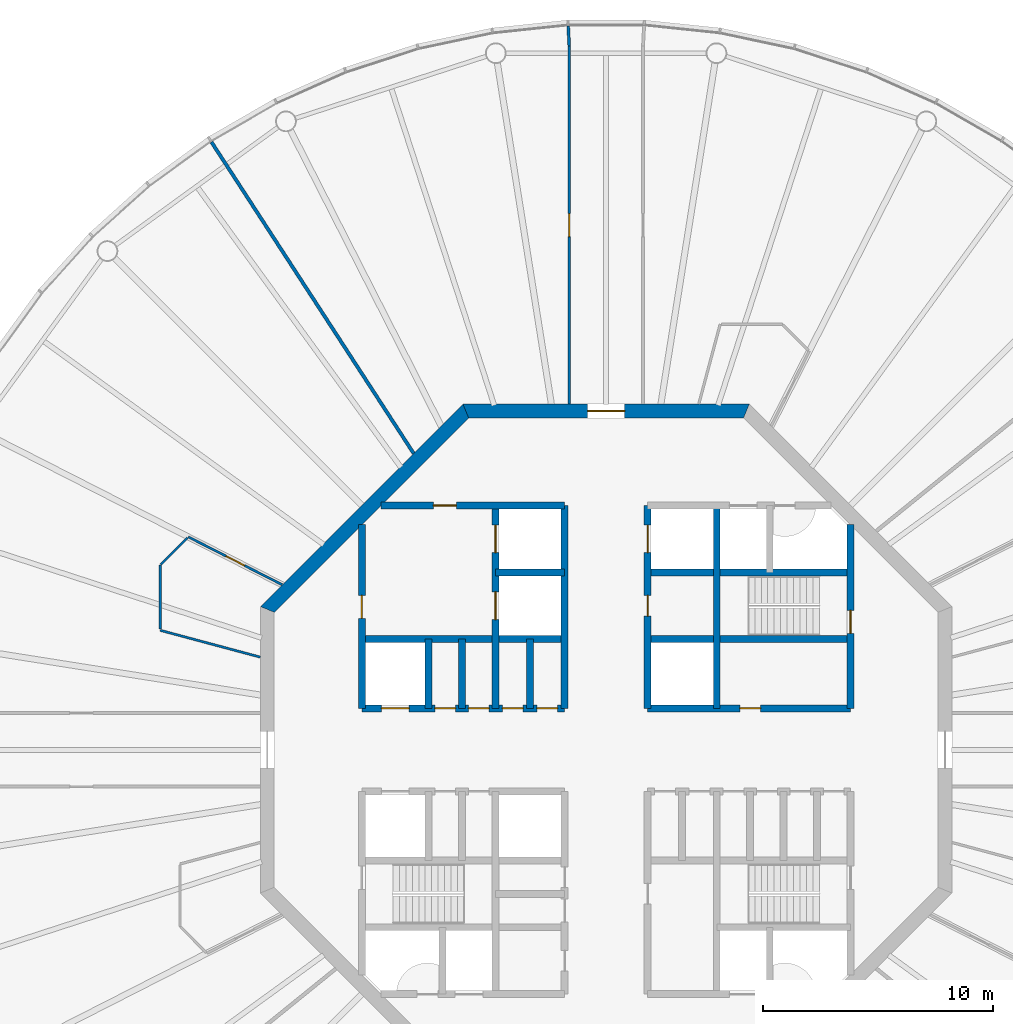
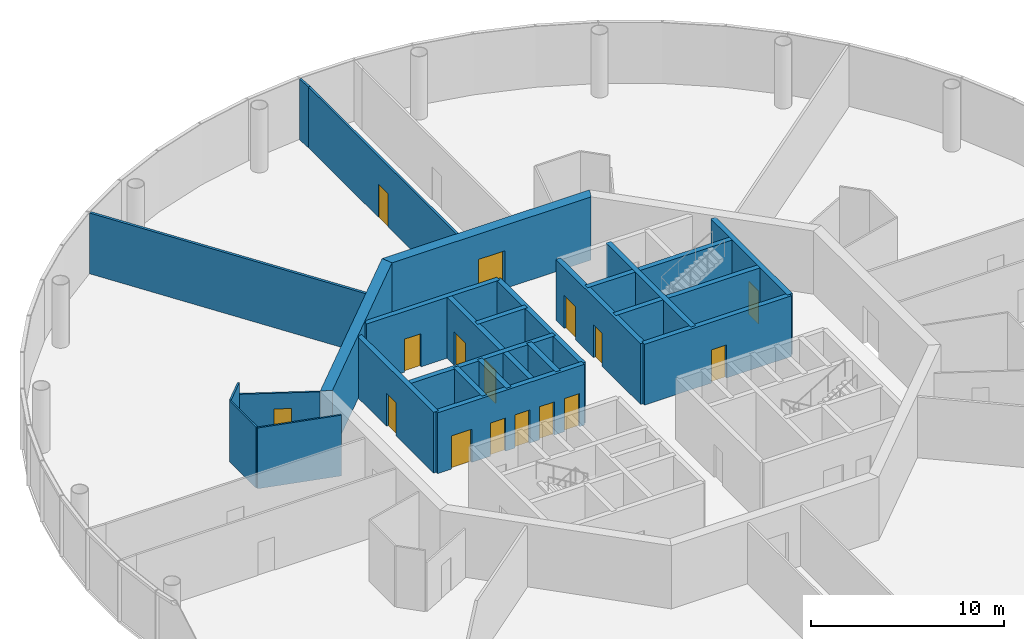
# One storey, part 5 of 13: 25 walls, 16 doors, 16 openings.
"""IFC4 building model written with IfcOpenShell, lengths in metres."""

from ifc_helpers import new_model, si_unit, direction, frame, frame_2d, origin, place, context, subcontext, project, spatial, polyline, rectangle, outline, extrude, material, layer, layer_set, type_object, element, fill, save


model = new_model("IFC4")

# Units and contexts
model_context = context("Model", 3, precision=1e-05, world=origin(), true_north=direction((0.0, 1.0)))
body_context = subcontext(model_context, "Body", "Model", "MODEL_VIEW")
ifc_project = project(units=[si_unit("LENGTHUNIT", "METRE"), si_unit("AREAUNIT", "SQUARE_METRE"), si_unit("VOLUMEUNIT", "CUBIC_METRE"), si_unit("PLANEANGLEUNIT", "RADIAN"), si_unit("MASSUNIT", "GRAM", prefix="KILO")], contexts=[model_context])

# Site, building, storey
site_placement = place(None, origin())
site = spatial("IfcSite", under=ifc_project, at=site_placement, CompositionType="ELEMENT")
building_placement = place(site_placement, origin())
building = spatial("IfcBuilding", under=site, at=building_placement, Name="Entoto Ring Tower", CompositionType="ELEMENT")
storey_placement = place(building_placement, frame((0.0, 0.0, 344.0)))
storey = spatial("IfcBuildingStorey", under=building, at=storey_placement, Name="L79", CompositionType="ELEMENT", Elevation=344.0)

# Wall, opening, door
ifc_material_1 = material(Name="Concrete C40/50", Category="concrete")
ifc_layer_1 = layer(ifc_material_1, 0.300048828125)
ifc_layer_set_1 = layer_set([ifc_layer_1], Name="Concrete C40/50")
wall_type_1 = type_object("IfcWallType", Name="Core enclosure wall 300 mm reinforced concrete", PredefinedType="SOLIDWALL", material=ifc_layer_set_1)
wall_1_placement = place(storey_placement, frame((100.60009765625, 81.800048828125, 0.0), z_axis=(0.0, 0.0, 1.0), x_axis=(0.0, 1.0, 0.0)))
wall_1 = element("IfcWall", 1, at=wall_1_placement, inside=storey, type_object=wall_type_1, Name="wall-L79-002", PredefinedType="SOLIDWALL", context=body_context, shape_type="SweptSolid", body=[
    extrude(rectangle(XDim=7.964599609375, YDim=0.300048828125, at=frame_2d((3.982421875, 0.0))), origin(), (0.0, 0.0, 1.0), 3.85009765625),
])
opening_1_placement = place(wall_1_placement, frame((3.25, 0.0, 0.0)))
opening_1 = element("IfcOpeningElement", 2, at=opening_1_placement, cuts=wall_1, Name="Opening K-29", PredefinedType="OPENING", context=body_context, shape_type="SweptSolid", body=[
    extrude(rectangle(XDim=1.0, YDim=2.10009765625, at=frame_2d((0.5, 1.050048828125))), frame((0.0, 0.16015625, 0.0), z_axis=(0.0, -1.0, 0.0), x_axis=(1.0, 0.0, 0.0)), (0.0, 0.0, 1.0), 0.320068359375),
])
ifc_material_2 = material(Name="Steel door leaf, fire rated", Category="steel")
ifc_layer_2 = layer(ifc_material_2, 0.050048828125)
ifc_layer_set_2 = layer_set([ifc_layer_2], Name="Steel door leaf, fire rated")
door_type_1 = type_object("IfcDoorType", Name="Fire door FD60 1000 x 2100 single leaf", OperationType="NOTDEFINED", PredefinedType="DOOR", material=ifc_layer_set_2)
door_1_placement = place(opening_1_placement, origin())
door_1 = element("IfcDoor", 3, at=door_1_placement, inside=storey, type_object=door_type_1, Name="Door K-29", OperationType="SINGLE_SWING_LEFT", OverallHeight=2.10009765625, OverallWidth=1.0, PredefinedType="DOOR", context=body_context, shape_type="SweptSolid", body=[
    extrude(rectangle(XDim=1.0, YDim=2.10009765625, at=frame_2d((0.5, 1.050048828125))), frame((0.0, 0.02490234375, 0.0), z_axis=(0.0, -1.0, 0.0), x_axis=(1.0, 0.0, 0.0)), (0.0, 0.0, 1.0), 0.050048828125),
])
fill(opening_1, door_1)

# Wall
wall_2_placement = place(storey_placement, frame((94.800048828125, 81.800048828125, 0.0), z_axis=(0.0, 0.0, 1.0), x_axis=(0.0, 1.0, 0.0)))
element("IfcWall", 4, at=wall_2_placement, inside=storey, type_object=wall_type_1, Name="wall-L79-009", PredefinedType="SOLIDWALL", context=body_context, shape_type="SweptSolid", body=[
    extrude(rectangle(XDim=8.800048828125, YDim=0.300048828125, at=frame_2d((4.39990234375, 0.0))), origin(), (0.0, 0.0, 1.0), 3.85009765625),
])

# Wall, openings, doors
wall_3_placement = place(storey_placement, frame((91.800048828125, 81.800048828125, 0.0), z_axis=(0.0, 0.0, 1.0), x_axis=(0.0, 1.0, 0.0)))
wall_3 = element("IfcWall", 5, at=wall_3_placement, inside=storey, type_object=wall_type_1, Name="wall-L79-012", PredefinedType="SOLIDWALL", context=body_context, shape_type="SweptSolid", body=[
    extrude(rectangle(XDim=8.800048828125, YDim=0.300048828125, at=frame_2d((4.39990234375, 0.0))), origin(), (0.0, 0.0, 1.0), 3.85009765625),
])
opening_2_placement = place(wall_3_placement, frame((6.75, 0.0, 0.0)))
opening_2 = element("IfcOpeningElement", 6, at=opening_2_placement, cuts=wall_3, Name="Opening LD", PredefinedType="OPENING", context=body_context, shape_type="SweptSolid", body=[
    extrude(rectangle(XDim=1.199951171875, YDim=2.10009765625, at=frame_2d((0.60009765625, 1.050048828125))), frame((0.0, 0.16015625, 0.0), z_axis=(0.0, -1.0, 0.0), x_axis=(1.0, 0.0, 0.0)), (0.0, 0.0, 1.0), 0.320068359375),
])
opening_3_placement = place(wall_3_placement, frame((4.0, 0.0, 0.0)))
opening_3 = element("IfcOpeningElement", 7, at=opening_3_placement, cuts=wall_3, Name="Opening K-63", PredefinedType="OPENING", context=body_context, shape_type="SweptSolid", body=[
    extrude(rectangle(XDim=0.89990234375, YDim=2.10009765625, at=frame_2d((0.449951171875, 1.050048828125))), frame((0.0, 0.16015625, 0.0), z_axis=(0.0, -1.0, 0.0), x_axis=(1.0, 0.0, 0.0)), (0.0, 0.0, 1.0), 0.320068359375),
])
ifc_material_3 = material(Name="Steel door leaf, fire rated", Category="steel")
ifc_layer_3 = layer(ifc_material_3, 0.050048828125)
ifc_layer_set_3 = layer_set([ifc_layer_3], Name="Steel door leaf, fire rated")
door_type_2 = type_object("IfcDoorType", Name="Core door 900 x 2100 single leaf", OperationType="NOTDEFINED", PredefinedType="DOOR", material=ifc_layer_set_3)
door_2_placement = place(opening_3_placement, frame((0.89990234375, 0.0, 0.0), z_axis=(0.0, 0.0, 1.0), x_axis=(-1.0, 0.0, 0.0)))
door_2 = element("IfcDoor", 8, at=door_2_placement, inside=storey, type_object=door_type_2, Name="Door K-63", OperationType="SINGLE_SWING_RIGHT", OverallHeight=2.10009765625, OverallWidth=0.89990234375, PredefinedType="DOOR", context=body_context, shape_type="SweptSolid", body=[
    extrude(rectangle(XDim=0.89990234375, YDim=2.10009765625, at=frame_2d((0.449951171875, 1.050048828125))), frame((0.0, 0.02490234375, 0.0), z_axis=(0.0, -1.0, 0.0), x_axis=(1.0, 0.0, 0.0)), (0.0, 0.0, 1.0), 0.050048828125),
])
fill(opening_3, door_2)
ifc_material_4 = material(Name="Steel and glass door leaf", Category="steel")
ifc_layer_4 = layer(ifc_material_4, 0.050048828125)
ifc_layer_set_4 = layer_set([ifc_layer_4], Name="Steel and glass door leaf")
door_type_3 = type_object("IfcDoorType", Name="Landing door 1200 x 2100 sliding", OperationType="DOUBLE_DOOR_SLIDING", PredefinedType="DOOR", material=ifc_layer_set_4)
door_3_placement = place(opening_2_placement, origin())
door_3 = element("IfcDoor", 9, at=door_3_placement, inside=storey, type_object=door_type_3, Name="Landing door SH3", OperationType="SLIDING_TO_RIGHT", OverallHeight=2.10009765625, OverallWidth=1.199951171875, PredefinedType="DOOR", context=body_context, shape_type="SweptSolid", body=[
    extrude(rectangle(XDim=1.199951171875, YDim=2.10009765625, at=frame_2d((0.60009765625, 1.050048828125))), frame((0.0, 0.02490234375, 0.0), z_axis=(0.0, -1.0, 0.0), x_axis=(1.0, 0.0, 0.0)), (0.0, 0.0, 1.0), 0.050048828125),
])
fill(opening_2, door_3)

# Walls
wall_4_placement = place(storey_placement, frame((88.199951171875, 81.800048828125, 0.0), z_axis=(0.0, 0.0, 1.0), x_axis=(0.0, 1.0, 0.0)))
element("IfcWall", 10, at=wall_4_placement, inside=storey, type_object=wall_type_1, Name="wall-L79-014", PredefinedType="SOLIDWALL", context=body_context, shape_type="SweptSolid", body=[
    extrude(rectangle(XDim=8.800048828125, YDim=0.300048828125, at=frame_2d((4.39990234375, 0.0))), origin(), (0.0, 0.0, 1.0), 3.85009765625),
])
wall_5_placement = place(storey_placement, frame((86.699951171875, 81.800048828125, 0.0), z_axis=(0.0, 0.0, 1.0), x_axis=(0.0, 1.0, 0.0)))
element("IfcWall", 11, at=wall_5_placement, inside=storey, type_object=wall_type_1, Name="wall-L79-015", PredefinedType="SOLIDWALL", context=body_context, shape_type="SweptSolid", body=[
    extrude(rectangle(XDim=3.0, YDim=0.300048828125, at=frame_2d((1.5, 0.0))), origin(), (0.0, 0.0, 1.0), 3.85009765625),
])

# Wall, openings, doors
wall_6_placement = place(storey_placement, frame((85.199951171875, 81.800048828125, 0.0), z_axis=(0.0, 0.0, 1.0), x_axis=(0.0, 1.0, 0.0)))
wall_6 = element("IfcWall", 12, at=wall_6_placement, inside=storey, type_object=wall_type_1, Name="wall-L79-017", PredefinedType="SOLIDWALL", context=body_context, shape_type="SweptSolid", body=[
    extrude(rectangle(XDim=8.800048828125, YDim=0.300048828125, at=frame_2d((4.39990234375, 0.0))), origin(), (0.0, 0.0, 1.0), 3.85009765625),
])
opening_4_placement = place(wall_6_placement, frame((3.85009765625, 0.0, 0.0)))
opening_4 = element("IfcOpeningElement", 13, at=opening_4_placement, cuts=wall_6, Name="Opening LD", PredefinedType="OPENING", context=body_context, shape_type="SweptSolid", body=[
    extrude(rectangle(XDim=1.199951171875, YDim=2.10009765625, at=frame_2d((0.60009765625, 1.050048828125))), frame((0.0, 0.16015625, 0.0), z_axis=(0.0, -1.0, 0.0), x_axis=(1.0, 0.0, 0.0)), (0.0, 0.0, 1.0), 0.320068359375),
])
opening_5_placement = place(wall_6_placement, frame((6.75, 0.0, 0.0)))
opening_5 = element("IfcOpeningElement", 14, at=opening_5_placement, cuts=wall_6, Name="Opening LD", PredefinedType="OPENING", context=body_context, shape_type="SweptSolid", body=[
    extrude(rectangle(XDim=1.199951171875, YDim=2.10009765625, at=frame_2d((0.60009765625, 1.050048828125))), frame((0.0, 0.16015625, 0.0), z_axis=(0.0, -1.0, 0.0), x_axis=(1.0, 0.0, 0.0)), (0.0, 0.0, 1.0), 0.320068359375),
])
door_4_placement = place(opening_4_placement, origin())
door_4 = element("IfcDoor", 15, at=door_4_placement, inside=storey, type_object=door_type_3, Name="Landing door FF1", OperationType="SLIDING_TO_RIGHT", OverallHeight=2.10009765625, OverallWidth=1.199951171875, PredefinedType="DOOR", context=body_context, shape_type="SweptSolid", body=[
    extrude(rectangle(XDim=1.199951171875, YDim=2.10009765625, at=frame_2d((0.60009765625, 1.050048828125))), frame((0.0, 0.02490234375, 0.0), z_axis=(0.0, -1.0, 0.0), x_axis=(1.0, 0.0, 0.0)), (0.0, 0.0, 1.0), 0.050048828125),
])
fill(opening_4, door_4)
door_5_placement = place(opening_5_placement, origin())
door_5 = element("IfcDoor", 16, at=door_5_placement, inside=storey, type_object=door_type_3, Name="Landing door FF2", OperationType="SLIDING_TO_RIGHT", OverallHeight=2.10009765625, OverallWidth=1.199951171875, PredefinedType="DOOR", context=body_context, shape_type="SweptSolid", body=[
    extrude(rectangle(XDim=1.199951171875, YDim=2.10009765625, at=frame_2d((0.60009765625, 1.050048828125))), frame((0.0, 0.02490234375, 0.0), z_axis=(0.0, -1.0, 0.0), x_axis=(1.0, 0.0, 0.0)), (0.0, 0.0, 1.0), 0.050048828125),
])
fill(opening_5, door_5)

# Walls
for number, where, z_axis, x_axis, name in (
    (17, (83.75, 81.800048828125, 0.0), (0.0, 0.0, 1.0), (0.0, 1.0, 0.0), "wall-L79-019"),
    (18, (82.300048828125, 81.800048828125, 0.0), (0.0, 0.0, 1.0), (0.0, 1.0, 0.0), "wall-L79-022"),
):
    element("IfcWall", number, at=place(storey_placement, frame(where, z_axis=z_axis, x_axis=x_axis)), inside=storey, type_object=wall_type_1, Name=name, PredefinedType="SOLIDWALL", context=body_context, shape_type="SweptSolid", body=[
        extrude(rectangle(XDim=3.0, YDim=0.300048828125, at=frame_2d((1.5, 0.0))), origin(), (0.0, 0.0, 1.0), 3.85009765625),
    ])

# Wall, opening, door
wall_7_placement = place(storey_placement, frame((79.39990234375, 81.800048828125, 0.0), z_axis=(0.0, 0.0, 1.0), x_axis=(0.0, 1.0, 0.0)))
wall_7 = element("IfcWall", 19, at=wall_7_placement, inside=storey, type_object=wall_type_1, Name="wall-L79-024", PredefinedType="SOLIDWALL", context=body_context, shape_type="SweptSolid", body=[
    extrude(rectangle(XDim=7.964599609375, YDim=0.300048828125, at=frame_2d((3.982421875, 0.0))), origin(), (0.0, 0.0, 1.0), 3.85009765625),
])
opening_6_placement = place(wall_7_placement, frame((3.89990234375, 0.0, 0.0)))
opening_6 = element("IfcOpeningElement", 20, at=opening_6_placement, cuts=wall_7, Name="Opening K-35", PredefinedType="OPENING", context=body_context, shape_type="SweptSolid", body=[
    extrude(rectangle(XDim=1.0, YDim=2.10009765625, at=frame_2d((0.5, 1.050048828125))), frame((0.0, 0.16015625, 0.0), z_axis=(0.0, -1.0, 0.0), x_axis=(1.0, 0.0, 0.0)), (0.0, 0.0, 1.0), 0.320068359375),
])
door_6_placement = place(opening_6_placement, frame((1.0, 0.0, 0.0), z_axis=(0.0, 0.0, 1.0), x_axis=(-1.0, 0.0, 0.0)))
door_6 = element("IfcDoor", 21, at=door_6_placement, inside=storey, type_object=door_type_1, Name="Door K-35", OperationType="SINGLE_SWING_RIGHT", OverallHeight=2.10009765625, OverallWidth=1.0, PredefinedType="DOOR", context=body_context, shape_type="SweptSolid", body=[
    extrude(rectangle(XDim=1.0, YDim=2.10009765625, at=frame_2d((0.5, 1.050048828125))), frame((0.0, 0.02490234375, 0.0), z_axis=(0.0, -1.0, 0.0), x_axis=(1.0, 0.0, 0.0)), (0.0, 0.0, 1.0), 0.050048828125),
])
fill(opening_6, door_6)

# Wall, openings, doors
wall_8_placement = place(storey_placement, frame((79.39990234375, 81.800048828125, 0.0), z_axis=(0.0, 0.0, 1.0), x_axis=(1.0, 0.0, 0.0)))
wall_8 = element("IfcWall", 22, at=wall_8_placement, inside=storey, type_object=wall_type_1, Name="wall-L79-034", PredefinedType="SOLIDWALL", context=body_context, shape_type="SweptSolid", body=[
    extrude(rectangle(XDim=8.800048828125, YDim=0.300048828125, at=frame_2d((4.39990234375, 0.0))), origin(), (0.0, 0.0, 1.0), 3.85009765625),
])
opening_7_placement = place(wall_8_placement, frame((0.85009765625, 0.0, 0.0)))
opening_7 = element("IfcOpeningElement", 23, at=opening_7_placement, cuts=wall_8, Name="Opening LD", PredefinedType="OPENING", context=body_context, shape_type="SweptSolid", body=[
    extrude(rectangle(XDim=1.199951171875, YDim=2.10009765625, at=frame_2d((0.60009765625, 1.050048828125))), frame((0.0, 0.16015625, 0.0), z_axis=(0.0, -1.0, 0.0), x_axis=(1.0, 0.0, 0.0)), (0.0, 0.0, 1.0), 0.320068359375),
])
opening_8_placement = place(wall_8_placement, frame((3.175048828125, 0.0, 0.0)))
opening_8 = element("IfcOpeningElement", 24, at=opening_8_placement, cuts=wall_8, Name="Opening K-12", PredefinedType="OPENING", context=body_context, shape_type="SweptSolid", body=[
    extrude(rectangle(XDim=0.89990234375, YDim=2.10009765625, at=frame_2d((0.449951171875, 1.050048828125))), frame((0.0, 0.16015625, 0.0), z_axis=(0.0, -1.0, 0.0), x_axis=(1.0, 0.0, 0.0)), (0.0, 0.0, 1.0), 0.320068359375),
])
opening_9_placement = place(wall_8_placement, frame((4.625, 0.0, 0.0)))
opening_9 = element("IfcOpeningElement", 25, at=opening_9_placement, cuts=wall_8, Name="Opening K-46", PredefinedType="OPENING", context=body_context, shape_type="SweptSolid", body=[
    extrude(rectangle(XDim=0.89990234375, YDim=2.10009765625, at=frame_2d((0.449951171875, 1.050048828125))), frame((0.0, 0.16015625, 0.0), z_axis=(0.0, -1.0, 0.0), x_axis=(1.0, 0.0, 0.0)), (0.0, 0.0, 1.0), 0.320068359375),
])
opening_10_placement = place(wall_8_placement, frame((6.10009765625, 0.0, 0.0)))
opening_10 = element("IfcOpeningElement", 26, at=opening_10_placement, cuts=wall_8, Name="Opening K-25", PredefinedType="OPENING", context=body_context, shape_type="SweptSolid", body=[
    extrude(rectangle(XDim=0.89990234375, YDim=2.10009765625, at=frame_2d((0.449951171875, 1.050048828125))), frame((0.0, 0.16015625, 0.0), z_axis=(0.0, -1.0, 0.0), x_axis=(1.0, 0.0, 0.0)), (0.0, 0.0, 1.0), 0.320068359375),
])
opening_11_placement = place(wall_8_placement, frame((7.60009765625, 0.0, 0.0)))
opening_11 = element("IfcOpeningElement", 27, at=opening_11_placement, cuts=wall_8, Name="Opening K-77", PredefinedType="OPENING", context=body_context, shape_type="SweptSolid", body=[
    extrude(rectangle(XDim=0.89990234375, YDim=2.10009765625, at=frame_2d((0.449951171875, 1.050048828125))), frame((0.0, 0.16015625, 0.0), z_axis=(0.0, -1.0, 0.0), x_axis=(1.0, 0.0, 0.0)), (0.0, 0.0, 1.0), 0.320068359375),
])
door_7_placement = place(opening_8_placement, origin())
door_7 = element("IfcDoor", 28, at=door_7_placement, inside=storey, type_object=door_type_2, Name="Door K-12", OperationType="SINGLE_SWING_RIGHT", OverallHeight=2.10009765625, OverallWidth=0.89990234375, PredefinedType="DOOR", context=body_context, shape_type="SweptSolid", body=[
    extrude(rectangle(XDim=0.89990234375, YDim=2.10009765625, at=frame_2d((0.449951171875, 1.050048828125))), frame((0.0, 0.02490234375, 0.0), z_axis=(0.0, -1.0, 0.0), x_axis=(1.0, 0.0, 0.0)), (0.0, 0.0, 1.0), 0.050048828125),
])
fill(opening_8, door_7)
door_8_placement = place(opening_9_placement, origin())
door_8 = element("IfcDoor", 29, at=door_8_placement, inside=storey, type_object=door_type_2, Name="Door K-46", OperationType="SINGLE_SWING_RIGHT", OverallHeight=2.10009765625, OverallWidth=0.89990234375, PredefinedType="DOOR", context=body_context, shape_type="SweptSolid", body=[
    extrude(rectangle(XDim=0.89990234375, YDim=2.10009765625, at=frame_2d((0.449951171875, 1.050048828125))), frame((0.0, 0.02490234375, 0.0), z_axis=(0.0, -1.0, 0.0), x_axis=(1.0, 0.0, 0.0)), (0.0, 0.0, 1.0), 0.050048828125),
])
fill(opening_9, door_8)
door_9_placement = place(opening_10_placement, origin())
door_9 = element("IfcDoor", 30, at=door_9_placement, inside=storey, type_object=door_type_2, Name="Door K-25", OperationType="SINGLE_SWING_LEFT", OverallHeight=2.10009765625, OverallWidth=0.89990234375, PredefinedType="DOOR", context=body_context, shape_type="SweptSolid", body=[
    extrude(rectangle(XDim=0.89990234375, YDim=2.10009765625, at=frame_2d((0.449951171875, 1.050048828125))), frame((0.0, 0.02490234375, 0.0), z_axis=(0.0, -1.0, 0.0), x_axis=(1.0, 0.0, 0.0)), (0.0, 0.0, 1.0), 0.050048828125),
])
fill(opening_10, door_9)
door_10_placement = place(opening_11_placement, origin())
door_10 = element("IfcDoor", 31, at=door_10_placement, inside=storey, type_object=door_type_2, Name="Door K-77", OperationType="SINGLE_SWING_LEFT", OverallHeight=2.10009765625, OverallWidth=0.89990234375, PredefinedType="DOOR", context=body_context, shape_type="SweptSolid", body=[
    extrude(rectangle(XDim=0.89990234375, YDim=2.10009765625, at=frame_2d((0.449951171875, 1.050048828125))), frame((0.0, 0.02490234375, 0.0), z_axis=(0.0, -1.0, 0.0), x_axis=(1.0, 0.0, 0.0)), (0.0, 0.0, 1.0), 0.050048828125),
])
fill(opening_11, door_10)
door_11_placement = place(opening_7_placement, origin())
door_11 = element("IfcDoor", 32, at=door_11_placement, inside=storey, type_object=door_type_3, Name="Landing door SH1", OperationType="SLIDING_TO_RIGHT", OverallHeight=2.10009765625, OverallWidth=1.199951171875, PredefinedType="DOOR", context=body_context, shape_type="SweptSolid", body=[
    extrude(rectangle(XDim=1.199951171875, YDim=2.10009765625, at=frame_2d((0.60009765625, 1.050048828125))), frame((0.0, 0.02490234375, 0.0), z_axis=(0.0, -1.0, 0.0), x_axis=(1.0, 0.0, 0.0)), (0.0, 0.0, 1.0), 0.050048828125),
])
fill(opening_7, door_11)

# Wall, opening, door
wall_9_placement = place(storey_placement, frame((91.800048828125, 81.800048828125, 0.0), z_axis=(0.0, 0.0, 1.0), x_axis=(1.0, 0.0, 0.0)))
wall_9 = element("IfcWall", 33, at=wall_9_placement, inside=storey, type_object=wall_type_1, Name="wall-L79-035", PredefinedType="SOLIDWALL", context=body_context, shape_type="SweptSolid", body=[
    extrude(rectangle(XDim=8.800048828125, YDim=0.300048828125, at=frame_2d((4.39990234375, 0.0))), origin(), (0.0, 0.0, 1.0), 3.85009765625),
])
opening_12_placement = place(wall_9_placement, frame((4.0, 0.0, 0.0)))
opening_12 = element("IfcOpeningElement", 34, at=opening_12_placement, cuts=wall_9, Name="Opening K-11", PredefinedType="OPENING", context=body_context, shape_type="SweptSolid", body=[
    extrude(rectangle(XDim=0.89990234375, YDim=2.10009765625, at=frame_2d((0.449951171875, 1.050048828125))), frame((0.0, 0.16015625, 0.0), z_axis=(0.0, -1.0, 0.0), x_axis=(1.0, 0.0, 0.0)), (0.0, 0.0, 1.0), 0.320068359375),
])
door_12_placement = place(opening_12_placement, origin())
door_12 = element("IfcDoor", 35, at=door_12_placement, inside=storey, type_object=door_type_2, Name="Door K-11", OperationType="SINGLE_SWING_LEFT", OverallHeight=2.10009765625, OverallWidth=0.89990234375, PredefinedType="DOOR", context=body_context, shape_type="SweptSolid", body=[
    extrude(rectangle(XDim=0.89990234375, YDim=2.10009765625, at=frame_2d((0.449951171875, 1.050048828125))), frame((0.0, 0.02490234375, 0.0), z_axis=(0.0, -1.0, 0.0), x_axis=(1.0, 0.0, 0.0)), (0.0, 0.0, 1.0), 0.050048828125),
])
fill(opening_12, door_12)

# Walls
for number, where, z_axis, x_axis, name in (
    (36, (79.39990234375, 84.800048828125, 0.0), (0.0, 0.0, 1.0), (1.0, 0.0, 0.0), "wall-L79-036"),
    (37, (91.800048828125, 84.800048828125, 0.0), (0.0, 0.0, 1.0), (1.0, 0.0, 0.0), "wall-L79-037"),
):
    element("IfcWall", number, at=place(storey_placement, frame(where, z_axis=z_axis, x_axis=x_axis)), inside=storey, type_object=wall_type_1, Name=name, PredefinedType="SOLIDWALL", context=body_context, shape_type="SweptSolid", body=[
        extrude(rectangle(XDim=8.800048828125, YDim=0.300048828125, at=frame_2d((4.39990234375, 0.0))), origin(), (0.0, 0.0, 1.0), 3.85009765625),
    ])
wall_10_placement = place(storey_placement, frame((85.199951171875, 87.699951171875, 0.0), z_axis=(0.0, 0.0, 1.0), x_axis=(1.0, 0.0, 0.0)))
element("IfcWall", 38, at=wall_10_placement, inside=storey, type_object=wall_type_1, Name="wall-L79-038", PredefinedType="SOLIDWALL", context=body_context, shape_type="SweptSolid", body=[
    extrude(rectangle(XDim=3.0, YDim=0.300048828125, at=frame_2d((1.5, 0.0))), origin(), (0.0, 0.0, 1.0), 3.85009765625),
])
wall_11_placement = place(storey_placement, frame((91.800048828125, 87.699951171875, 0.0), z_axis=(0.0, 0.0, 1.0), x_axis=(1.0, 0.0, 0.0)))
element("IfcWall", 39, at=wall_11_placement, inside=storey, type_object=wall_type_1, Name="wall-L79-039", PredefinedType="SOLIDWALL", context=body_context, shape_type="SweptSolid", body=[
    extrude(rectangle(XDim=8.800048828125, YDim=0.300048828125, at=frame_2d((4.39990234375, 0.0))), origin(), (0.0, 0.0, 1.0), 3.85009765625),
])

# Wall, opening, door
wall_12_placement = place(storey_placement, frame((80.2353515625, 90.60009765625, 0.0), z_axis=(0.0, 0.0, 1.0), x_axis=(1.0, 0.0, 0.0)))
wall_12 = element("IfcWall", 40, at=wall_12_placement, inside=storey, type_object=wall_type_1, Name="wall-L79-040", PredefinedType="SOLIDWALL", context=body_context, shape_type="SweptSolid", body=[
    extrude(rectangle(XDim=7.964599609375, YDim=0.300048828125, at=frame_2d((3.982421875, 0.0))), origin(), (0.0, 0.0, 1.0), 3.85009765625),
])
opening_13_placement = place(wall_12_placement, frame((2.2646484375, 0.0, 0.0)))
opening_13 = element("IfcOpeningElement", 41, at=opening_13_placement, cuts=wall_12, Name="Opening K-36", PredefinedType="OPENING", context=body_context, shape_type="SweptSolid", body=[
    extrude(rectangle(XDim=1.0, YDim=2.10009765625, at=frame_2d((0.5, 1.050048828125))), frame((0.0, 0.16015625, 0.0), z_axis=(0.0, -1.0, 0.0), x_axis=(1.0, 0.0, 0.0)), (0.0, 0.0, 1.0), 0.320068359375),
])
door_13_placement = place(opening_13_placement, frame((1.0, 0.0, 0.0), z_axis=(0.0, 0.0, 1.0), x_axis=(-1.0, 0.0, 0.0)))
door_13 = element("IfcDoor", 42, at=door_13_placement, inside=storey, type_object=door_type_1, Name="Door K-36", OperationType="SINGLE_SWING_LEFT", OverallHeight=2.10009765625, OverallWidth=1.0, PredefinedType="DOOR", context=body_context, shape_type="SweptSolid", body=[
    extrude(rectangle(XDim=1.0, YDim=2.10009765625, at=frame_2d((0.5, 1.050048828125))), frame((0.0, 0.02490234375, 0.0), z_axis=(0.0, -1.0, 0.0), x_axis=(1.0, 0.0, 0.0)), (0.0, 0.0, 1.0), 0.050048828125),
])
fill(opening_13, door_13)

ifc_material_5 = material(Name="Concrete C40/50", Category="concrete")
ifc_layer_5 = layer(ifc_material_5, 0.60009765625)
ifc_layer_set_5 = layer_set([ifc_layer_5], Name="Concrete C40/50")
wall_type_2 = type_object("IfcWallType", Name="Core shear wall 600 mm reinforced concrete C40/50", PredefinedType="SHEAR", material=ifc_layer_set_5)
wall_13_placement = place(storey_placement, frame((96.0888671875, 94.699951171875, 0.0), z_axis=(0.0, 0.0, 1.0), x_axis=(-1.0, 0.0, 0.0)))
wall_13 = element("IfcWall", 43, at=wall_13_placement, inside=storey, type_object=wall_type_2, Name="wall-L79-core-2", PredefinedType="SHEAR", context=body_context, shape_type="SweptSolid", body=[
    extrude(outline(polyline([(-0.124267578125, -0.300048828125), (12.302001953125, -0.300048828125), (12.053466796875, 0.300048828125), (0.124267578125, 0.300048828125), (-0.124267578125, -0.300048828125)])), origin(), (0.0, 0.0, 1.0), 4.0),
])
opening_14_placement = place(wall_13_placement, frame((5.288818359375, 0.0, 0.0)))
opening_14 = element("IfcOpeningElement", 44, at=opening_14_placement, cuts=wall_13, Name="Opening K-02", PredefinedType="OPENING", context=body_context, shape_type="SweptSolid", body=[
    extrude(rectangle(XDim=1.60009765625, YDim=2.39990234375, at=frame_2d((0.800048828125, 1.199951171875))), frame((0.0, 0.31005859375, 0.0), z_axis=(0.0, -1.0, 0.0), x_axis=(1.0, 0.0, 0.0)), (0.0, 0.0, 1.0), 0.6201171875),
])
ifc_material_6 = material(Name="Steel door leaf, fire rated", Category="steel")
ifc_layer_6 = layer(ifc_material_6, 0.050048828125)
ifc_layer_set_6 = layer_set([ifc_layer_6], Name="Steel door leaf, fire rated")
door_type_4 = type_object("IfcDoorType", Name="Entrance door FD60 1600 x 2400 double leaf", OperationType="DOUBLE_DOOR_SINGLE_SWING", PredefinedType="DOOR", material=ifc_layer_set_6)
door_14_placement = place(opening_14_placement, origin())
door_14 = element("IfcDoor", 45, at=door_14_placement, inside=storey, type_object=door_type_4, Name="Entrance door K-02", OperationType="DOUBLE_DOOR_SINGLE_SWING", OverallHeight=2.39990234375, OverallWidth=1.60009765625, PredefinedType="DOOR", context=body_context, shape_type="SweptSolid", body=[
    extrude(rectangle(XDim=1.60009765625, YDim=2.39990234375, at=frame_2d((0.800048828125, 1.199951171875))), frame((0.0, 0.02490234375, 0.0), z_axis=(0.0, -1.0, 0.0), x_axis=(1.0, 0.0, 0.0)), (0.0, 0.0, 1.0), 0.050048828125),
])
fill(opening_14, door_14)

# Wall
wall_14_placement = place(storey_placement, frame((83.9111328125, 94.699951171875, 0.0), z_axis=(0.0, 0.0, 1.0), x_axis=(-0.707106781187, -0.707106781187, 0.0)))
element("IfcWall", 46, at=wall_14_placement, inside=storey, type_object=wall_type_2, Name="wall-L79-core-3", PredefinedType="SHEAR", context=body_context, shape_type="SweptSolid", body=[
    extrude(outline(polyline([(-0.124267578125, -0.300048828125), (12.30224609375, -0.300048828125), (12.0537109375, 0.300048828125), (0.124267578125, 0.300048828125), (-0.124267578125, -0.300048828125)])), origin(), (0.0, 0.0, 1.0), 4.0),
])

# Wall, opening, door
ifc_material_7 = material(Name="Fire-resisting plasterboard on steel studs", Category="steel")
ifc_layer_7 = layer(ifc_material_7, 0.125)
ifc_layer_set_7 = layer_set([ifc_layer_7], Name="Fire-resisting plasterboard on steel studs")
wall_type_3 = type_object("IfcWallType", Name="Corridor wall 125 mm one-hour plasterboard on steel studs", PredefinedType="PARTITIONING", material=ifc_layer_set_7)
wall_15_placement = place(storey_placement, frame((88.39990234375, 95.0, 0.0), z_axis=(0.0, 0.0, 1.0), x_axis=(0.0, 1.0, 0.0)))
wall_15 = element("IfcWall", 47, at=wall_15_placement, inside=storey, type_object=wall_type_3, Name="partition-L79-004", PredefinedType="PARTITIONING", context=body_context, shape_type="SweptSolid", body=[
    extrude(rectangle(XDim=15.52978515625, YDim=0.125, at=frame_2d((7.764892578125, 0.0))), origin(), (0.0, 0.0, 1.0), 3.85009765625),
])
opening_15_placement = place(wall_15_placement, frame((7.264892578125, 0.0, 0.0)))
opening_15 = element("IfcOpeningElement", 48, at=opening_15_placement, cuts=wall_15, Name="Opening A34-D05", PredefinedType="OPENING", context=body_context, shape_type="SweptSolid", body=[
    extrude(rectangle(XDim=1.0, YDim=2.10009765625, at=frame_2d((0.5, 1.050048828125))), frame((0.0, 0.072509765625, 0.0), z_axis=(0.0, -1.0, 0.0), x_axis=(1.0, 0.0, 0.0)), (0.0, 0.0, 1.0), 0.14501953125),
])
ifc_material_8 = material(Name="Fire-resisting timber door set", Category="wood")
door_type_5 = type_object("IfcDoorType", Name="Door 1000 x 2100 single leaf FD30S fire door", OperationType="NOTDEFINED", PredefinedType="DOOR", material=ifc_material_8)
door_15_placement = place(opening_15_placement, origin())
door_15 = element("IfcDoor", 49, at=door_15_placement, inside=storey, type_object=door_type_5, Name="Door A34-D05", OperationType="SINGLE_SWING_LEFT", OverallHeight=2.10009765625, OverallWidth=1.0, PredefinedType="DOOR", context=body_context, shape_type="SweptSolid", body=[
    extrude(rectangle(XDim=1.0, YDim=2.10009765625, at=frame_2d((0.5, 1.050048828125))), frame((0.0, 0.02490234375, 0.0), z_axis=(0.0, -1.0, 0.0), x_axis=(1.0, 0.0, 0.0)), (0.0, 0.0, 1.0), 0.050048828125),
])
fill(opening_15, door_15)

# Walls
wall_16_placement = place(storey_placement, frame((88.39990234375, 110.533203125, 0.0), z_axis=(0.0, 0.0, 1.0), x_axis=(-0.052499574911, 0.998620946423, 0.0)))
element("IfcWall", 50, at=wall_16_placement, inside=storey, type_object=wall_type_3, Name="partition-L79-012", PredefinedType="PARTITIONING", context=body_context, shape_type="SweptSolid", body=[
    extrude(rectangle(XDim=0.864990234375, YDim=0.125, at=frame_2d((0.4326171875, 0.0))), origin(), (0.0, 0.0, 1.0), 3.85009765625),
])
ifc_material_9 = material(Name="Plasterboard on steel studs", Category="steel")
ifc_layer_8 = layer(ifc_material_9, 0.10009765625)
ifc_layer_set_8 = layer_set([ifc_layer_8], Name="Plasterboard on steel studs")
wall_type_4 = type_object("IfcWallType", Name="Partition 100 mm plasterboard on steel studs", PredefinedType="PARTITIONING", material=ifc_layer_set_8)
wall_17_placement = place(storey_placement, frame((75.0, 84.019287109375, 0.0), z_axis=(0.0, 0.0, 1.0), x_axis=(-0.965930145555, 0.258802924845, 0.0)))
element("IfcWall", 51, at=wall_17_placement, inside=storey, type_object=wall_type_4, Name="partition-L79-027", PredefinedType="PARTITIONING", context=body_context, shape_type="SweptSolid", body=[
    extrude(rectangle(XDim=4.50341796875, YDim=0.10009765625, at=frame_2d((2.251708984375, 0.0))), origin(), (0.0, 0.0, 1.0), 3.85009765625),
])
wall_18_placement = place(storey_placement, frame((70.64990234375, 85.23291015625, 0.0), z_axis=(0.0, 0.0, 1.0), x_axis=(0.0, 1.0, 0.0)))
element("IfcWall", 52, at=wall_18_placement, inside=storey, type_object=wall_type_4, Name="partition-L79-037", PredefinedType="PARTITIONING", context=body_context, shape_type="SweptSolid", body=[
    extrude(rectangle(XDim=2.781982421875, YDim=0.10009765625, at=frame_2d((1.39111328125, 0.0))), origin(), (0.0, 0.0, 1.0), 3.85009765625),
])
wall_19_placement = place(storey_placement, frame((70.6748046875, 88.039794921875, 0.0), z_axis=(0.0, 0.0, 1.0), x_axis=(0.707032587096, 0.707180967493, 0.0)))
element("IfcWall", 53, at=wall_19_placement, inside=storey, type_object=wall_type_4, Name="partition-L79-043", PredefinedType="PARTITIONING", context=body_context, shape_type="SweptSolid", body=[
    extrude(rectangle(XDim=1.645263671875, YDim=0.10009765625, at=frame_2d((0.82275390625, 0.0))), origin(), (0.0, 0.0, 1.0), 3.85009765625),
])

# Wall, opening, door
ifc_material_10 = material(Name="Plasterboard on steel studs", Category="steel")
ifc_layer_9 = layer(ifc_material_10, 0.10009765625)
ifc_layer_set_9 = layer_set([ifc_layer_9], Name="Plasterboard on steel studs")
wall_type_5 = type_object("IfcWallType", Name="Partition 100 mm plasterboard on steel studs, 3097 mm high", PredefinedType="PARTITIONING", material=ifc_layer_set_9)
wall_20_placement = place(storey_placement, frame((75.947021484375, 87.160400390625, 0.0), z_axis=(0.0, 0.0, 1.0), x_axis=(-0.891006498341, 0.453990550467, 0.0)))
wall_20 = element("IfcWall", 54, at=wall_20_placement, inside=storey, type_object=wall_type_5, Name="partition-L79-026", PredefinedType="PARTITIONING", context=body_context, shape_type="SweptSolid", body=[
    extrude(rectangle(XDim=4.57373046875, YDim=0.10009765625, at=frame_2d((2.286865234375, 0.0))), origin(), (0.0, 0.0, 1.0), 3.096923828125),
])
opening_16_placement = place(wall_20_placement, frame((1.8369140625, 0.0, 0.0)))
opening_16 = element("IfcOpeningElement", 55, at=opening_16_placement, cuts=wall_20, Name="Opening A34-D07", PredefinedType="OPENING", context=body_context, shape_type="SweptSolid", body=[
    extrude(rectangle(XDim=0.89990234375, YDim=2.10009765625, at=frame_2d((0.449951171875, 1.050048828125))), frame((0.0, 0.06005859375, 0.0), z_axis=(0.0, -1.0, 0.0), x_axis=(1.0, 0.0, 0.0)), (0.0, 0.0, 1.0), 0.1201171875),
])
ifc_material_11 = material(Name="Veneered timber door leaf in timber frame", Category="wood")
door_type_6 = type_object("IfcDoorType", Name="Door 900 x 2100 single leaf timber veneer", OperationType="NOTDEFINED", PredefinedType="DOOR", material=ifc_material_11)
door_16_placement = place(opening_16_placement, origin())
door_16 = element("IfcDoor", 56, at=door_16_placement, inside=storey, type_object=door_type_6, Name="Door A34-D07", OperationType="SINGLE_SWING_LEFT", OverallHeight=2.10009765625, OverallWidth=0.89990234375, PredefinedType="DOOR", context=body_context, shape_type="SweptSolid", body=[
    extrude(rectangle(XDim=0.89990234375, YDim=2.10009765625, at=frame_2d((0.449951171875, 1.050048828125))), frame((0.0, 0.02490234375, 0.0), z_axis=(0.0, -1.0, 0.0), x_axis=(1.0, 0.0, 0.0)), (0.0, 0.0, 1.0), 0.050048828125),
])
fill(opening_16, door_16)

# Wall
ifc_material_12 = material(Name="Fire-resisting acoustic plasterboard on steel studs", Category="steel")
ifc_layer_10 = layer(ifc_material_12, 0.14990234375)
ifc_layer_set_10 = layer_set([ifc_layer_10], Name="Fire-resisting acoustic plasterboard on steel studs")
wall_type_6 = type_object("IfcWallType", Name="Party wall 150 mm one-hour acoustic plasterboard on steel studs", PredefinedType="PARTITIONING", material=ifc_layer_set_10)
wall_21_placement = place(storey_placement, frame((81.64794921875, 92.861083984375, 0.0), z_axis=(0.0, 0.0, 1.0), x_axis=(-0.54464089364, 0.838669360937, 0.0)))
element("IfcWall", 57, at=wall_21_placement, inside=storey, type_object=wall_type_6, Name="partition-L79-020", PredefinedType="PARTITIONING", context=body_context, shape_type="SweptSolid", body=[
    extrude(rectangle(XDim=16.10498046875, YDim=0.14990234375, at=frame_2d((8.052490234375, 0.0))), origin(), (0.0, 0.0, 1.0), 3.85009765625),
])

save(model, "model.ifc")
